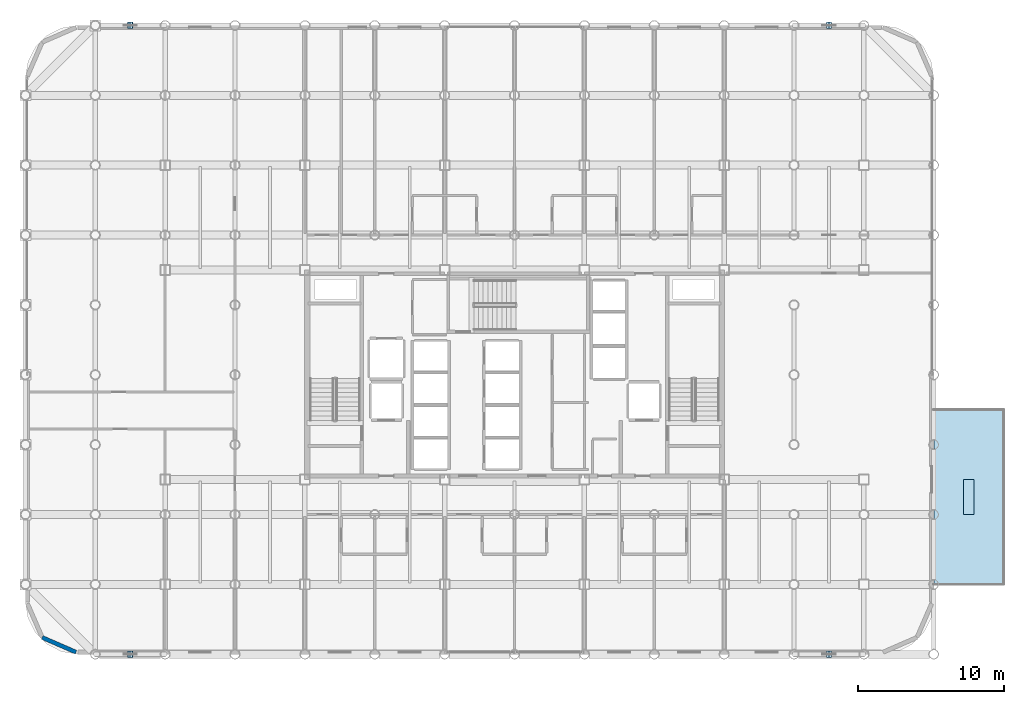
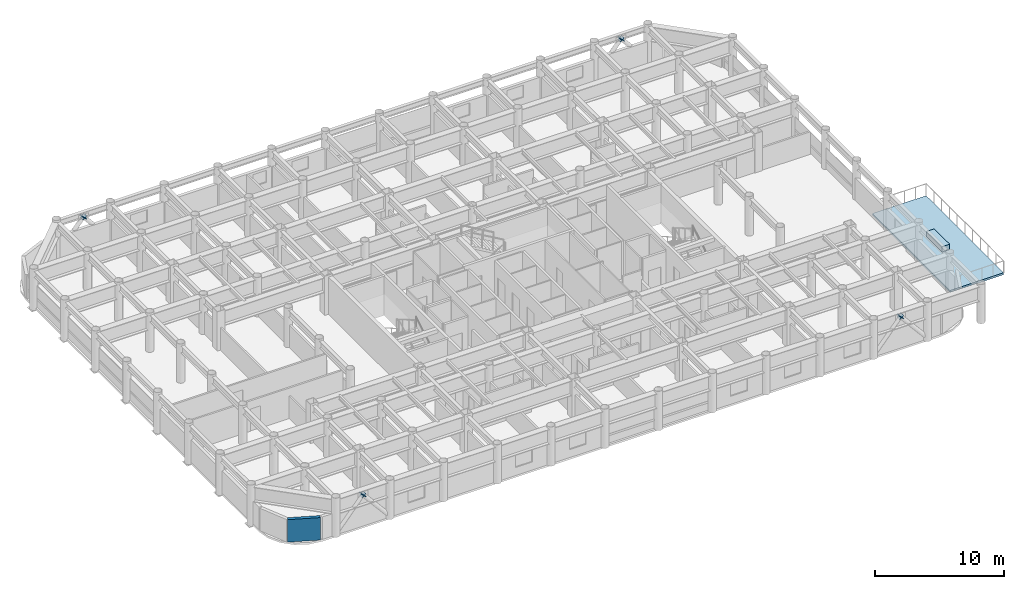
# One storey, part 16 of 23: 9 plates, 1 slab, 1 wall.
"""IFC4 building model written with IfcOpenShell, lengths in metres."""

from ifc_helpers import new_model, si_unit, direction, frame, frame_2d, origin, origin_2d, place, context, subcontext, project, spatial, polyline, rectangle, outline, extrude, material, layer, layer_set, type_object, element, save


model = new_model("IFC4")

# Units and contexts
model_context = context("Model", 3, precision=1e-05, world=origin(), true_north=direction((0.0, 1.0)))
body_context = subcontext(model_context, "Body", "Model", "MODEL_VIEW")
ifc_project = project(units=[si_unit("LENGTHUNIT", "METRE"), si_unit("AREAUNIT", "SQUARE_METRE"), si_unit("VOLUMEUNIT", "CUBIC_METRE"), si_unit("PLANEANGLEUNIT", "RADIAN"), si_unit("MASSUNIT", "GRAM", prefix="KILO")], contexts=[model_context])

# Site, building, storey
site_placement = place(None, origin())
site = spatial("IfcSite", under=ifc_project, at=site_placement, CompositionType="ELEMENT")
building_placement = place(site_placement, origin())
building = spatial("IfcBuilding", under=site, at=building_placement, Name="Kallvorn Hotel Tower", CompositionType="ELEMENT")
storey_placement = place(building_placement, frame((0.0, 0.0, 124.800048828125)))
storey = spatial("IfcBuildingStorey", under=building, at=storey_placement, Name="L30", CompositionType="ELEMENT", Elevation=124.800048828125)

# Plates
ifc_material_1 = material(Name="Structural steel S355JR", Category="steel")
ifc_layer_1 = layer(ifc_material_1, 0.030029296875)
ifc_layer_set_1 = layer_set([ifc_layer_1], Name="PLT_CAP_30")
plate_type_1 = type_object("IfcPlateType", Name="PLT_CAP_30", PredefinedType="SHEET", material=ifc_layer_set_1)
plate_1_placement = place(storey_placement, frame((-26.227294921875, -19.417724609375, 2.876708984375), z_axis=(0.646720691081, 0.0, 0.762726915565), x_axis=(0.0, 1.0, 0.0)))
element("IfcPlate", 1, at=plate_1_placement, inside=storey, type_object=plate_type_1, Name="EXO-L30-S1A End Cap Plate B", PredefinedType="SHEET", context=body_context, shape_type="SweptSolid", body=[
    extrude(outline(polyline([(0.0, 0.0), (0.435546875, 0.0), (0.435546875, 0.4356413597636253), (0.0, 0.4356413597636253), (0.0, 0.0)])), origin(), (0.0, 0.0, -1.0), 0.030029296875),
])
plate_2_placement = place(storey_placement, frame((-26.572509765625, -18.982177734375, 2.876708984375), z_axis=(-0.646997204148, 0.0, 0.762492372306), x_axis=(0.0, -1.0, 0.0)))
element("IfcPlate", 2, at=plate_2_placement, inside=storey, type_object=plate_type_1, Name="EXO-L30-S1B End Cap Plate B", PredefinedType="SHEET", context=body_context, shape_type="SweptSolid", body=[
    extrude(outline(polyline([(0.0, 0.0), (0.435546875, 0.0), (0.435546875, 0.43545517576240456), (0.0, 0.43545517576240456), (0.0, 0.0)])), origin(), (0.0, 0.0, -1.0), 0.030029296875),
])
plate_3_placement = place(storey_placement, frame((21.772705078125, -19.417724609375, 2.876708984375), z_axis=(0.646720691081, 0.0, 0.762726915565), x_axis=(0.0, 1.0, 0.0)))
element("IfcPlate", 3, at=plate_3_placement, inside=storey, type_object=plate_type_1, Name="EXO-L30-S2A End Cap Plate B", PredefinedType="SHEET", context=body_context, shape_type="SweptSolid", body=[
    extrude(outline(polyline([(0.0, 0.0), (0.435546875, 0.0), (0.435546875, 0.4356413597636253), (0.0, 0.4356413597636253), (0.0, 0.0)])), origin(), (0.0, 0.0, -1.0), 0.030029296875),
])
plate_4_placement = place(storey_placement, frame((21.427490234375, -18.982177734375, 2.876708984375), z_axis=(-0.646997204148, 0.0, 0.762492372306), x_axis=(0.0, -1.0, 0.0)))
element("IfcPlate", 4, at=plate_4_placement, inside=storey, type_object=plate_type_1, Name="EXO-L30-S2B End Cap Plate B", PredefinedType="SHEET", context=body_context, shape_type="SweptSolid", body=[
    extrude(outline(polyline([(0.0, 0.0), (0.435546875, 0.0), (0.435546875, 0.43545517576240456), (0.0, 0.43545517576240456), (0.0, 0.0)])), origin(), (0.0, 0.0, -1.0), 0.030029296875),
])
plate_5_placement = place(storey_placement, frame((-26.227294921875, 23.7822265625, 2.876708984375), z_axis=(0.646720691081, 0.0, 0.762726915565), x_axis=(0.0, 1.0, 0.0)))
element("IfcPlate", 5, at=plate_5_placement, inside=storey, type_object=plate_type_1, Name="EXO-L30-N1A End Cap Plate B", PredefinedType="SHEET", context=body_context, shape_type="SweptSolid", body=[
    extrude(outline(polyline([(0.0, 0.0), (0.435546875, 0.0), (0.435546875, 0.4356413597636253), (0.0, 0.4356413597636253), (0.0, 0.0)])), origin(), (0.0, 0.0, -1.0), 0.030029296875),
])
plate_6_placement = place(storey_placement, frame((-26.572509765625, 24.2177734375, 2.876708984375), z_axis=(-0.646997204148, 0.0, 0.762492372306), x_axis=(0.0, -1.0, 0.0)))
element("IfcPlate", 6, at=plate_6_placement, inside=storey, type_object=plate_type_1, Name="EXO-L30-N1B End Cap Plate B", PredefinedType="SHEET", context=body_context, shape_type="SweptSolid", body=[
    extrude(outline(polyline([(0.0, 0.0), (0.435546875, 0.0), (0.435546875, 0.43545517576240456), (0.0, 0.43545517576240456), (0.0, 0.0)])), origin(), (0.0, 0.0, -1.0), 0.030029296875),
])
plate_7_placement = place(storey_placement, frame((21.772705078125, 23.7822265625, 2.876708984375), z_axis=(0.646720691081, 0.0, 0.762726915565), x_axis=(0.0, 1.0, 0.0)))
element("IfcPlate", 7, at=plate_7_placement, inside=storey, type_object=plate_type_1, Name="EXO-L30-N2A End Cap Plate B", PredefinedType="SHEET", context=body_context, shape_type="SweptSolid", body=[
    extrude(outline(polyline([(0.0, 0.0), (0.435546875, 0.0), (0.435546875, 0.4356413597636253), (0.0, 0.4356413597636253), (0.0, 0.0)])), origin(), (0.0, 0.0, -1.0), 0.030029296875),
])
plate_8_placement = place(storey_placement, frame((21.427490234375, 24.2177734375, 2.876708984375), z_axis=(-0.646997204148, 0.0, 0.762492372306), x_axis=(0.0, -1.0, 0.0)))
element("IfcPlate", 8, at=plate_8_placement, inside=storey, type_object=plate_type_1, Name="EXO-L30-N2B End Cap Plate B", PredefinedType="SHEET", context=body_context, shape_type="SweptSolid", body=[
    extrude(outline(polyline([(0.0, 0.0), (0.435546875, 0.0), (0.435546875, 0.43545517576240456), (0.0, 0.43545517576240456), (0.0, 0.0)])), origin(), (0.0, 0.0, -1.0), 0.030029296875),
])
ifc_material_2 = material(Name="Powder-coated marine-grade aluminium planter trough", Category="aluminium")
ifc_layer_2 = layer(ifc_material_2, 0.0400390625)
ifc_layer_set_2 = layer_set([ifc_layer_2], Name="PLT_PLANTER_TROUGH")
plate_type_2 = type_object("IfcPlateType", Name="PLT_PLANTER_TROUGH", PredefinedType="USERDEFINED", material=ifc_layer_set_2)
plate_9_placement = place(storey_placement, frame((31.199951171875, -8.39990234375, 0.0), z_axis=(0.0, 0.0, 1.0), x_axis=(0.0, 1.0, 0.0)))
element("IfcPlate", 9, at=plate_9_placement, inside=storey, type_object=plate_type_2, Name="TER-L30-E Step-Off Terrace Planter", ObjectType="FACADE PLANTER TROUGH", PredefinedType="USERDEFINED", context=body_context, shape_type="SweptSolid", body=[
    extrude(rectangle(XDim=2.39990234375, YDim=0.699951171875, at=origin_2d()), origin(), (0.0, 0.0, 1.0), 0.5),
])

# Slab
ifc_material_3 = material(Name="Concrete C40/50", Category="concrete")
ifc_layer_3 = layer(ifc_material_3, 0.179931640625)
ifc_layer_set_3 = layer_set([ifc_layer_3], Name="SLB_TERRACE_180")
slab_type = type_object("IfcSlabType", Name="SLB_TERRACE_180", PredefinedType="ROOF", material=ifc_layer_set_3)
slab_placement = place(storey_placement, frame((0.0, 0.0, -0.179931640625)))
element("IfcSlab", 10, at=slab_placement, inside=storey, type_object=slab_type, Name="L30 Jenga Step-Off Garden Terrace TER-L30-E", PredefinedType="ROOF", context=body_context, shape_type="SweptSolid", body=[
    extrude(outline(polyline([(28.800048828125, -14.39990234375), (33.60009765625, -14.39990234375), (33.60009765625, -2.39990234375), (28.800048828125, -2.39990234375), (28.800048828125, -14.39990234375)])), origin(), (0.0, 0.0, 1.0), 0.179931640625),
])

# Wall
ifc_material_4 = material(Name="Precast basalt-clad insulated concrete wall C40/50", Category="masonry")
ifc_layer_4 = layer(ifc_material_4, 0.280029296875)
ifc_layer_set_4 = layer_set([ifc_layer_4], Name="WL_EXT_LOGGIA_280")
wall_type = type_object("IfcWallType", Name="WL_EXT_LOGGIA_280", PredefinedType="SOLIDWALL", material=ifc_layer_set_4)
wall_placement = place(storey_placement, frame((-32.446533203125, -18.046630859375, 0.0), z_axis=(0.0, 0.0, 1.0), x_axis=(0.917060872934, -0.398747232384, 0.0)))
element("IfcWall", 11, at=wall_placement, inside=storey, type_object=wall_type, Name="L30 Rounded Corner Exterior Wall SW2", PredefinedType="SOLIDWALL", context=body_context, shape_type="SweptSolid", body=[
    extrude(rectangle(XDim=2.5361328125, YDim=0.280029296875, at=frame_2d((1.26806640625, 0.0))), origin(), (0.0, 0.0, 1.0), 2.119873046875),
])

save(model, "model.ifc")
